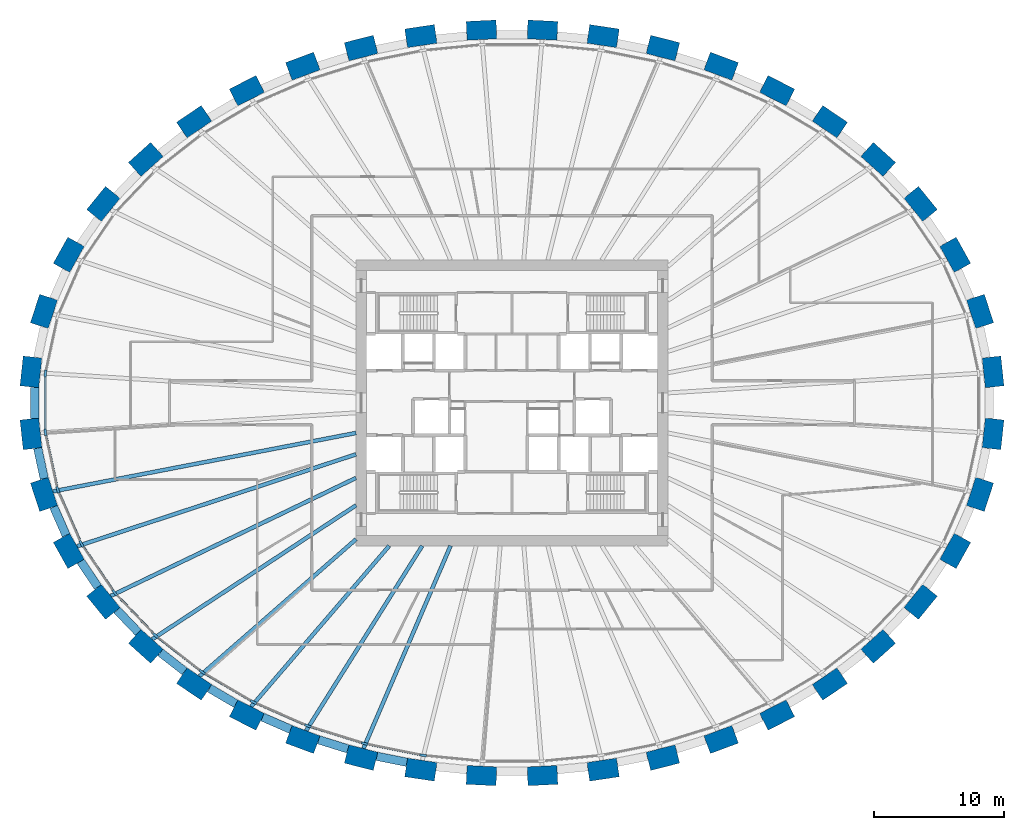
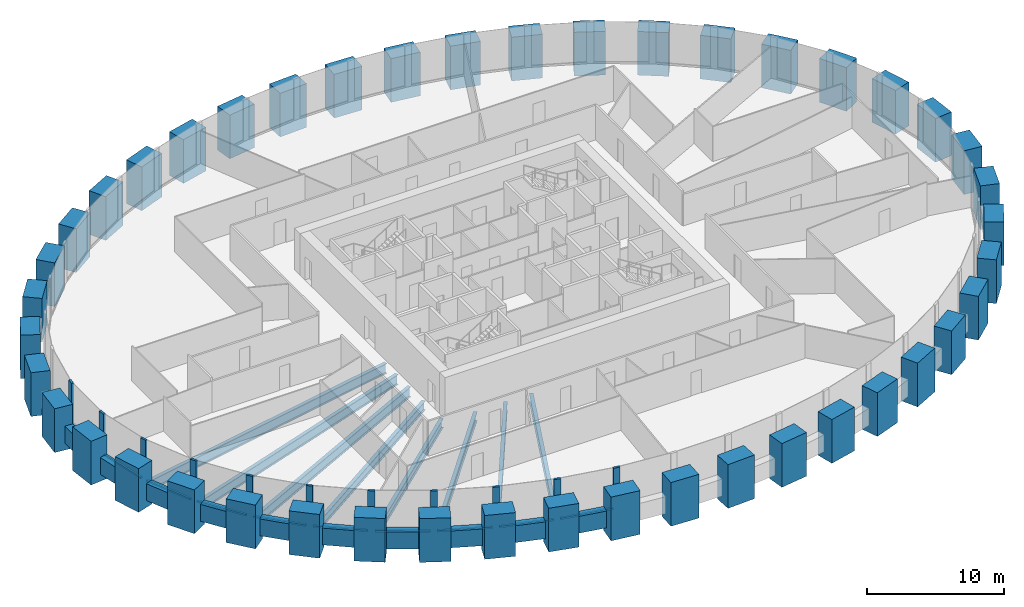
# One storey, part 1 of 10: 44 columns, 21 members, 18 beams, 1 element without a shape of its own.
"""IFC4 building model written with IfcOpenShell, lengths in metres."""

import ifcopenshell
import ifcopenshell.guid

model = None  # the IFC model being written
_history = None  # IfcOwnerHistory: only IFC2X3 demands one
_inside = {}  # id of a spatial element -> (the spatial element, [elements in it])
_under = {}  # id of a project, library or spatial element -> (it, [spatial elements below it])
_declared = {}  # id of a project -> (the project, [libraries it declares])
_typed = {}  # id of a type object -> (the type object, [elements of that type])
_made_of = {}  # id of a material, layer set ... -> (it, [elements and type objects made of it])


def new_model(schema):
    """Start an empty IFC model of exactly this schema.

    Asked for "IFC4X3", IfcOpenShell would pick the latest addendum, in which some entities
    have other attributes; the version numbers below select the first issue.
    IFC2X3 requires an IfcOwnerHistory on every rooted entity: one is made here for all.
    """
    global model, _history
    if schema == "IFC4X3":
        model = ifcopenshell.file(schema_version=(4, 3, 0, 0))
    else:
        model = ifcopenshell.file(schema=schema)
    _inside.clear()
    _under.clear()
    _declared.clear()
    _typed.clear()
    _made_of.clear()
    _history = None
    if model.schema == "IFC2X3":
        org = make("IfcOrganization", Name="unknown")
        user = make(
            "IfcPersonAndOrganization",
            ThePerson=make("IfcPerson", FamilyName="unknown"),
            TheOrganization=org,
        )
        app = make(
            "IfcApplication",
            ApplicationDeveloper=org,
            Version="unknown",
            ApplicationFullName="unknown",
            ApplicationIdentifier="unknown",
        )
        _history = make(
            "IfcOwnerHistory",
            OwningUser=user,
            OwningApplication=app,
            ChangeAction="ADDED",
            CreationDate=0,
        )
    return model


def make(cls, **values):
    """One entity of the class cls with the attributes given. An attribute that is None is left unset."""
    return model.create_entity(
        cls, **{name: value for name, value in values.items() if value is not None}
    )


def rooted(cls, **values):
    """An entity with a GlobalId (a new one), such as an element, a storey or a relation."""
    return make(cls, GlobalId=ifcopenshell.guid.new(), OwnerHistory=_history, **values)


def si_unit(unit_type, name, prefix=None):
    """IfcSIUnit, for example si_unit("LENGTHUNIT", "METRE", prefix="MILLI")."""
    return make("IfcSIUnit", UnitType=unit_type, Prefix=prefix, Name=name)


def assignment(units):
    """IfcUnitAssignment: the units of a project."""
    return None if units is None else make("IfcUnitAssignment", Units=units)


def point(xyz):
    """IfcCartesianPoint."""
    return None if xyz is None else make("IfcCartesianPoint", Coordinates=xyz)


def direction(xyz):
    """IfcDirection."""
    return None if xyz is None else make("IfcDirection", DirectionRatios=xyz)


def frame(location, z_axis=None, x_axis=None):
    """IfcAxis2Placement3D, a coordinate frame: its origin and axes. An axis left out is left unset."""
    return make(
        "IfcAxis2Placement3D",
        Location=point(location),
        Axis=direction(z_axis),
        RefDirection=direction(x_axis),
    )


def frame_2d(location, x_axis=None):
    """IfcAxis2Placement2D, a coordinate frame in the plane: its origin and x axis."""
    return make(
        "IfcAxis2Placement2D", Location=point(location), RefDirection=direction(x_axis)
    )


def origin():
    """The frame at (0, 0, 0) with its axes left unset."""
    return frame((0.0, 0.0, 0.0))


def origin_2d():
    """The frame at (0, 0) in the plane with its x axis left unset."""
    return frame_2d((0.0, 0.0))


def place(relative_to, where):
    """IfcLocalPlacement: puts the frame where relative to a parent placement (None: the world)."""
    return make(
        "IfcLocalPlacement", PlacementRelTo=relative_to, RelativePlacement=where
    )


def context(
    kind, dimensions, precision=None, world=None, true_north=None, identifier=None
):
    """IfcGeometricRepresentationContext, for example the 3D "Model" context."""
    return make(
        "IfcGeometricRepresentationContext",
        ContextIdentifier=identifier,
        ContextType=kind,
        CoordinateSpaceDimension=dimensions,
        Precision=precision,
        WorldCoordinateSystem=world,
        TrueNorth=true_north,
    )


def subcontext(parent, identifier, kind, view, scale=None):
    """IfcGeometricRepresentationSubContext, for example "Body" below "Model"."""
    return make(
        "IfcGeometricRepresentationSubContext",
        ContextIdentifier=identifier,
        ContextType=kind,
        ParentContext=parent,
        TargetScale=scale,
        TargetView=view,
    )


def project(units=None, contexts=None):
    """IfcProject with its units and contexts."""
    return rooted(
        "IfcProject",
        Name="project",
        RepresentationContexts=contexts,
        UnitsInContext=assignment(units),
    )


def spatial(cls, under=None, at=None, **own):
    """A site, building, storey or space (cls), placed at a placement, below another one or the project."""
    s = rooted(cls, ObjectPlacement=at, **own)
    if under is not None:
        _under.setdefault(under.id(), (under, []))[1].append(s)
    return s


def profile(cls, at=None, kind="AREA", **sizes):
    """A parametric profile (cls). Its sizes go by their IFC names, for example OverallWidth=200.0."""
    return make(cls, ProfileType=kind, Position=at, **sizes)


def rectangle(**sizes):
    """IfcRectangleProfileDef."""
    return profile("IfcRectangleProfileDef", **sizes)


def i_section(**sizes):
    """IfcIShapeProfileDef."""
    return profile("IfcIShapeProfileDef", **sizes)


def extrude(swept, where, along, depth):
    """IfcExtrudedAreaSolid: the profile swept, set in the frame where, extruded along a direction by depth."""
    return make(
        "IfcExtrudedAreaSolid",
        SweptArea=swept,
        Position=where,
        ExtrudedDirection=direction(along),
        Depth=depth,
    )


def shape(context_of_items, identifier, shape_type, items):
    """IfcShapeRepresentation: the items that make up one representation, for example the "Body"."""
    return make(
        "IfcShapeRepresentation",
        ContextOfItems=context_of_items,
        RepresentationIdentifier=identifier,
        RepresentationType=shape_type,
        Items=items,
    )


def source(mapping_origin, context_of_items, identifier, shape_type, items):
    """IfcRepresentationMap: a shape defined once, which mapped items show again and again."""
    return make(
        "IfcRepresentationMap",
        MappingOrigin=mapping_origin,
        MappedRepresentation=shape(context_of_items, identifier, shape_type, items),
    )


def transform(
    local_origin,
    x_axis=None,
    y_axis=None,
    z_axis=None,
    scale=None,
    scale2=None,
    scale3=None,
    uniform=True,
):
    """IfcCartesianTransformationOperator3D, or its non-uniform kind. x_axis, y_axis, z_axis: its Axis1, 2, 3."""
    if uniform:
        return make(
            "IfcCartesianTransformationOperator3D",
            Axis1=direction(x_axis),
            Axis2=direction(y_axis),
            LocalOrigin=point(local_origin),
            Scale=scale,
            Axis3=direction(z_axis),
        )
    return make(
        "IfcCartesianTransformationOperator3DnonUniform",
        Axis1=direction(x_axis),
        Axis2=direction(y_axis),
        LocalOrigin=point(local_origin),
        Scale=scale,
        Axis3=direction(z_axis),
        Scale2=scale2,
        Scale3=scale3,
    )


def mapped(mapping_source, mapping_target):
    """IfcMappedItem: shows the shape of a source again, moved by a transform."""
    return make(
        "IfcMappedItem", MappingSource=mapping_source, MappingTarget=mapping_target
    )


def material(Name=None, Category=None):
    """IfcMaterial."""
    return make("IfcMaterial", Name=Name, Category=Category)


def material_profile(
    of_material, cross_section, Name=None, Category=None, Priority=None
):
    """IfcMaterialProfile: a cross section and its material."""
    return make(
        "IfcMaterialProfile",
        Name=Name,
        Material=of_material,
        Profile=cross_section,
        Priority=Priority,
        Category=Category,
    )


def profile_set(profiles, Name=None, composite=None):
    """IfcMaterialProfileSet."""
    return make(
        "IfcMaterialProfileSet",
        Name=Name,
        MaterialProfiles=profiles,
        CompositeProfile=composite,
    )


def made_of(thing, what):
    """Note that an element or type object is made of a material, layer set ...; save() writes the relation."""
    if what is not None:
        _made_of.setdefault(what.id(), (what, []))[1].append(thing)
    return thing


def type_object(cls, material=None, **own):
    """A type object (cls), such as IfcWallType, which elements share."""
    return made_of(rooted(cls, **own), material)


def element(
    cls,
    number,
    at=None,
    inside=None,
    cuts=None,
    type_object=None,
    material=None,
    context=None,
    identifier="Body",
    shape_type=None,
    held_by="IfcProductDefinitionShape",
    body=None,
    shapes=None,
    **own,
):
    """One element of the class cls, such as IfcWall. Its Tag is "e" and its number.

    at: its placement. inside: the storey or other place that contains it. cuts: it is an
    opening in that element (IfcRelVoidsElement). A single representation is given by context,
    identifier, shape_type and body (its items); several are given by shapes. held_by: the class
    of the entity that holds the representations. save() writes the other relations.
    """
    e = rooted(cls, Tag="e%d" % number, ObjectPlacement=at, **own)
    if body is not None:
        shapes = [shape(context, identifier, shape_type, body)]
    if shapes is not None:
        e.Representation = make(held_by, Representations=shapes)
    if inside is not None:
        _inside.setdefault(inside.id(), (inside, []))[1].append(e)
    if cuts is not None:
        rooted(
            "IfcRelVoidsElement", RelatingBuildingElement=cuts, RelatedOpeningElement=e
        )
    if type_object is not None:
        _typed.setdefault(type_object.id(), (type_object, []))[1].append(e)
    return made_of(e, material)


def aggregate(whole, parts):
    """IfcRelAggregates: a whole, such as a stair, and the parts it consists of."""
    return rooted("IfcRelAggregates", RelatingObject=whole, RelatedObjects=parts)


def save(model, path):
    """Write the relations noted so far, then the file.

    IfcRelAggregates (storeys below a building ...), IfcRelContainedInSpatialStructure (elements
    in a storey), IfcRelDefinesByType, IfcRelAssociatesMaterial and IfcRelDeclares: one each for
    every whole, place, type object, material and project.
    """
    for whole, parts in _under.values():
        aggregate(whole, parts)
    for where, things in _inside.values():
        rooted(
            "IfcRelContainedInSpatialStructure",
            RelatedElements=things,
            RelatingStructure=where,
        )
    for kind, things in _typed.values():
        rooted("IfcRelDefinesByType", RelatedObjects=things, RelatingType=kind)
    for what, things in _made_of.values():
        rooted("IfcRelAssociatesMaterial", RelatedObjects=things, RelatingMaterial=what)
    for by, libraries in _declared.values():
        rooted("IfcRelDeclares", RelatingContext=by, RelatedDefinitions=libraries)
    model.write(path)


model = new_model("IFC4")

# Units and contexts
model_context = context("Model", 3, precision=1e-05, world=origin(), true_north=direction((0.0, 1.0)))
body_context = subcontext(model_context, "Body", "Model", "MODEL_VIEW")
ifc_project = project(units=[si_unit("LENGTHUNIT", "METRE"), si_unit("AREAUNIT", "SQUARE_METRE"), si_unit("VOLUMEUNIT", "CUBIC_METRE"), si_unit("PLANEANGLEUNIT", "RADIAN"), si_unit("MASSUNIT", "GRAM", prefix="KILO")], contexts=[model_context])

# Site, building, storey
site_placement = place(None, origin())
site = spatial("IfcSite", under=ifc_project, at=site_placement, CompositionType="ELEMENT")
building_placement = place(site_placement, origin())
building = spatial("IfcBuilding", under=site, at=building_placement, Name="Embergate Tower", CompositionType="ELEMENT")
storey_placement = place(building_placement, frame((0.0, 0.0, 179.39990234375)))
storey = spatial("IfcBuildingStorey", under=building, at=storey_placement, Name="L40", CompositionType="ELEMENT", Elevation=179.39990234375)

# Columns
ifc_material_1 = material(Name="Concrete C70", Category="concrete")
ifc_material_profile_1 = material_profile(ifc_material_1, rectangle(XDim=1.449951171875, YDim=2.300048828125, at=origin_2d()), Name="RC 1450x2300")
ifc_profile_set_1 = profile_set([ifc_material_profile_1], Name="Concrete C70")
column_type = type_object("IfcColumnType", Name="Ring column RC 1450x2300 C70", PredefinedType="COLUMN", material=ifc_profile_set_1)
shared_shape_1 = source(origin(), body_context, "Body", "SweptSolid", [
    extrude(rectangle(XDim=1.449951171875, YDim=2.300048828125, at=origin_2d()), origin(), (0.0, 0.0, 1.0), 3.89990234375),
])
for number, where, z_axis, x_axis, name in (
    (1, (37.008056640625, 2.383056640625, -1.39990234375), (0.0, 0.0, 1.0), (0.99428589498, 0.106749983816, 0.0), "COL-L40-00"),
    (2, (36.007080078125, 7.037109375, -1.39990234375), (0.0, 0.0, 1.0), (0.950754033697, 0.309946394413, 0.0), "COL-L40-01"),
    (3, (34.097900390625, 11.388916015625, -1.39990234375), (0.0, 0.0, 1.0), (0.873491969053, 0.486838556403, 0.0), "COL-L40-02"),
    (4, (31.43408203125, 15.30810546875, -1.39990234375), (0.0, 0.0, 1.0), (0.775914301615, 0.630838328377, 0.0), "COL-L40-03"),
    (5, (28.172119140625, 18.72900390625, -1.39990234375), (0.0, 0.0, 1.0), (0.669208424634, 0.74307475021, 0.0), "COL-L40-04"),
    (6, (24.4541015625, 21.631103515625, -1.39990234375), (0.0, 0.0, 1.0), (0.560393279442, 0.828226643109, 0.0), "COL-L40-05"),
    (7, (20.39697265625, 24.01611328125, -1.39990234375), (0.0, 0.0, 1.0), (0.452994952881, 0.891513080478, 0.0), "COL-L40-06"),
    (8, (16.091064453125, 25.89892578125, -1.39990234375), (0.0, 0.0, 1.0), (0.348343015724, 0.93736713373, 0.0), "COL-L40-07"),
    (9, (11.60888671875, 27.294921875, -1.39990234375), (0.0, 0.0, 1.0), (0.246491603437, 0.969144926951, 0.0), "COL-L40-08"),
    (10, (7.010009765625, 28.217041015625, -1.39990234375), (0.0, 0.0, 1.0), (0.146929011949, 0.989147039346, 0.0), "COL-L40-09"),
    (11, (2.343994140625, 28.676025390625, -1.39990234375), (0.0, 0.0, 1.0), (0.048814904854, 0.998807841912, 0.0), "COL-L40-10"),
    (12, (-2.343994140625, 28.676025390625, -1.39990234375), (0.0, 0.0, 1.0), (-0.048814904854, 0.998807841912, 0.0), "COL-L40-11"),
    (13, (-7.010009765625, 28.217041015625, -1.39990234375), (0.0, 0.0, 1.0), (-0.146929011949, 0.989147039346, 0.0), "COL-L40-12"),
    (14, (-11.60888671875, 27.294921875, -1.39990234375), (0.0, 0.0, 1.0), (-0.246491603437, 0.969144926951, 0.0), "COL-L40-13"),
    (15, (-16.091064453125, 25.89892578125, -1.39990234375), (0.0, 0.0, 1.0), (-0.348343015724, 0.93736713373, 0.0), "COL-L40-14"),
    (16, (-20.39697265625, 24.01611328125, -1.39990234375), (0.0, 0.0, 1.0), (-0.452994952881, 0.891513080478, 0.0), "COL-L40-15"),
    (17, (-24.4541015625, 21.631103515625, -1.39990234375), (0.0, 0.0, 1.0), (-0.560393279442, 0.828226643109, 0.0), "COL-L40-16"),
    (18, (-28.172119140625, 18.72900390625, -1.39990234375), (0.0, 0.0, 1.0), (-0.669208424634, 0.74307475021, 0.0), "COL-L40-17"),
    (19, (-31.43408203125, 15.30810546875, -1.39990234375), (0.0, 0.0, 1.0), (-0.775914301615, 0.630838328377, 0.0), "COL-L40-18"),
    (20, (-34.097900390625, 11.388916015625, -1.39990234375), (0.0, 0.0, 1.0), (-0.873491969053, 0.486838556403, 0.0), "COL-L40-19"),
    (21, (-36.007080078125, 7.037109375, -1.39990234375), (0.0, 0.0, 1.0), (-0.950754033697, 0.309946394413, 0.0), "COL-L40-20"),
    (22, (-37.008056640625, 2.383056640625, -1.39990234375), (0.0, 0.0, 1.0), (-0.99428589498, 0.106749983816, 0.0), "COL-L40-21"),
    (23, (-37.008056640625, -2.383056640625, -1.39990234375), (0.0, 0.0, 1.0), (-0.99428589498, -0.106749983816, 0.0), "COL-L40-22"),
    (24, (-36.007080078125, -7.037109375, -1.39990234375), (0.0, 0.0, 1.0), (-0.950754033697, -0.309946394413, 0.0), "COL-L40-23"),
    (25, (-34.097900390625, -11.388916015625, -1.39990234375), (0.0, 0.0, 1.0), (-0.873491969053, -0.486838556403, 0.0), "COL-L40-24"),
    (26, (-31.43408203125, -15.30810546875, -1.39990234375), (0.0, 0.0, 1.0), (-0.775914301615, -0.630838328377, 0.0), "COL-L40-25"),
    (27, (-28.172119140625, -18.72900390625, -1.39990234375), (0.0, 0.0, 1.0), (-0.669208424634, -0.74307475021, 0.0), "COL-L40-26"),
    (28, (-24.4541015625, -21.631103515625, -1.39990234375), (0.0, 0.0, 1.0), (-0.560393279442, -0.828226643109, 0.0), "COL-L40-27"),
    (29, (-20.39697265625, -24.01611328125, -1.39990234375), (0.0, 0.0, 1.0), (-0.452994952881, -0.891513080478, 0.0), "COL-L40-28"),
    (30, (-16.091064453125, -25.89892578125, -1.39990234375), (0.0, 0.0, 1.0), (-0.348343015724, -0.93736713373, 0.0), "COL-L40-29"),
    (31, (-11.60888671875, -27.294921875, -1.39990234375), (0.0, 0.0, 1.0), (-0.246491603437, -0.969144926951, 0.0), "COL-L40-30"),
    (32, (-7.010009765625, -28.217041015625, -1.39990234375), (0.0, 0.0, 1.0), (-0.146929011949, -0.989147039346, 0.0), "COL-L40-31"),
    (33, (-2.343994140625, -28.676025390625, -1.39990234375), (0.0, 0.0, 1.0), (-0.048814904854, -0.998807841912, 0.0), "COL-L40-32"),
    (34, (2.343994140625, -28.676025390625, -1.39990234375), (0.0, 0.0, 1.0), (0.048814904854, -0.998807841912, 0.0), "COL-L40-33"),
    (35, (7.010009765625, -28.217041015625, -1.39990234375), (0.0, 0.0, 1.0), (0.146929011949, -0.989147039346, 0.0), "COL-L40-34"),
    (36, (11.60888671875, -27.294921875, -1.39990234375), (0.0, 0.0, 1.0), (0.246491603437, -0.969144926951, 0.0), "COL-L40-35"),
    (37, (16.091064453125, -25.89892578125, -1.39990234375), (0.0, 0.0, 1.0), (0.348343015724, -0.93736713373, 0.0), "COL-L40-36"),
    (38, (20.39697265625, -24.01611328125, -1.39990234375), (0.0, 0.0, 1.0), (0.452994952881, -0.891513080478, 0.0), "COL-L40-37"),
    (39, (24.4541015625, -21.631103515625, -1.39990234375), (0.0, 0.0, 1.0), (0.560393279442, -0.828226643109, 0.0), "COL-L40-38"),
    (40, (28.172119140625, -18.72900390625, -1.39990234375), (0.0, 0.0, 1.0), (0.669208424634, -0.74307475021, 0.0), "COL-L40-39"),
    (41, (31.43408203125, -15.30810546875, -1.39990234375), (0.0, 0.0, 1.0), (0.775914301615, -0.630838328377, 0.0), "COL-L40-40"),
    (42, (34.097900390625, -11.388916015625, -1.39990234375), (0.0, 0.0, 1.0), (0.873491969053, -0.486838556403, 0.0), "COL-L40-41"),
    (43, (36.007080078125, -7.037109375, -1.39990234375), (0.0, 0.0, 1.0), (0.950754033697, -0.309946394413, 0.0), "COL-L40-42"),
    (44, (37.008056640625, -2.383056640625, -1.39990234375), (0.0, 0.0, 1.0), (0.99428589498, -0.106749983816, 0.0), "COL-L40-43"),
):
    element("IfcColumn", number, at=place(storey_placement, frame(where, z_axis=z_axis, x_axis=x_axis)), inside=storey, type_object=column_type, Name=name, PredefinedType="COLUMN", context=body_context, shape_type="MappedRepresentation", body=[
        mapped(shared_shape_1, transform((0.0, 0.0, 0.0))),
    ])

# Beams
ifc_material_profile_2 = material_profile(ifc_material_1, rectangle(XDim=0.64990234375, YDim=1.5, at=origin_2d()), Name="RC 650x1500")
ifc_profile_set_2 = profile_set([ifc_material_profile_2], Name="Concrete C70")
beam_type_1 = type_object("IfcBeamType", Name="Spandrel beam RC 650x1500 C70", PredefinedType="BEAM", material=ifc_profile_set_2)
shared_shape_2 = source(origin(), body_context, "Body", "SweptSolid", [
    extrude(rectangle(XDim=0.64990234375, YDim=1.5, at=origin_2d()), origin(), (0.0, 0.0, 1.0), 2.390625),
])
beam_1_placement = place(storey_placement, frame((-36.489013671875, -3.48388671875, 0.0), z_axis=(0.210372893439, -0.977621217909, 0.0), x_axis=(0.977621217909, 0.210372893439, 0.0)))
element("IfcBeam", 45, at=beam_1_placement, inside=storey, type_object=beam_type_1, Name="SPN-L40-22", PredefinedType="BEAM", context=body_context, shape_type="MappedRepresentation", body=[
    mapped(shared_shape_2, transform((0.0, 0.0, 0.0))),
])
shared_shape_3 = source(origin(), body_context, "Body", "SweptSolid", [
    extrude(rectangle(XDim=0.64990234375, YDim=1.5, at=origin_2d()), origin(), (0.0, 0.0, 1.0), 2.383544921875),
])
beam_2_placement = place(storey_placement, frame((-35.259033203125, -8.0029296875, 0.0), z_axis=(0.401495719711, -0.915860899402, 0.0), x_axis=(0.915860899402, 0.401495719711, 0.0)))
element("IfcBeam", 46, at=beam_2_placement, inside=storey, type_object=beam_type_1, Name="SPN-L40-23", PredefinedType="BEAM", context=body_context, shape_type="MappedRepresentation", body=[
    mapped(shared_shape_3, transform((0.0, 0.0, 0.0))),
])
shared_shape_4 = source(origin(), body_context, "Body", "SweptSolid", [
    extrude(rectangle(XDim=0.64990234375, YDim=1.5, at=origin_2d()), origin(), (0.0, 0.0, 1.0), 2.37744140625),
])
beam_3_placement = place(storey_placement, frame((-33.18798828125, -12.198974609375, 0.0), z_axis=(0.562307212713, -0.826928411975, 0.0), x_axis=(0.826928411975, 0.562307212713, 0.0)))
element("IfcBeam", 47, at=beam_3_placement, inside=storey, type_object=beam_type_1, Name="SPN-L40-24", PredefinedType="BEAM", context=body_context, shape_type="MappedRepresentation", body=[
    mapped(shared_shape_4, transform((0.0, 0.0, 0.0))),
])
shared_shape_5 = source(origin(), body_context, "Body", "SweptSolid", [
    extrude(rectangle(XDim=0.64990234375, YDim=1.5, at=origin_2d()), origin(), (0.0, 0.0, 1.0), 2.370361328125),
])
beam_4_placement = place(storey_placement, frame((-30.39111328125, -15.94189453125, 0.0), z_axis=(0.690277300847, -0.723544917704, 0.0), x_axis=(0.723544917704, 0.690277300847, 0.0)))
element("IfcBeam", 48, at=beam_4_placement, inside=storey, type_object=beam_type_1, Name="SPN-L40-25", PredefinedType="BEAM", context=body_context, shape_type="MappedRepresentation", body=[
    mapped(shared_shape_5, transform((0.0, 0.0, 0.0))),
])
shared_shape_6 = source(origin(), body_context, "Body", "SweptSolid", [
    extrude(rectangle(XDim=0.64990234375, YDim=1.5, at=origin_2d()), origin(), (0.0, 0.0, 1.0), 2.367431640625),
])
beam_5_placement = place(storey_placement, frame((-27.050048828125, -19.200927734375, 0.0), z_axis=(0.788179129097, -0.615445903761, 0.0), x_axis=(0.615445903761, 0.788179129097, 0.0)))
element("IfcBeam", 49, at=beam_5_placement, inside=storey, type_object=beam_type_1, Name="SPN-L40-26", PredefinedType="BEAM", context=body_context, shape_type="MappedRepresentation", body=[
    mapped(shared_shape_6, transform((0.0, 0.0, 0.0))),
])
shared_shape_7 = source(origin(), body_context, "Body", "SweptSolid", [
    extrude(rectangle(XDim=0.64990234375, YDim=1.5, at=origin_2d()), origin(), (0.0, 0.0, 1.0), 2.36181640625),
])
beam_6_placement = place(storey_placement, frame((-23.281982421875, -21.950927734375, 0.0), z_axis=(0.86203783714, -0.506843927989, 0.0), x_axis=(0.506843927989, 0.86203783714, 0.0)))
element("IfcBeam", 50, at=beam_6_placement, inside=storey, type_object=beam_type_1, Name="SPN-L40-27", PredefinedType="BEAM", context=body_context, shape_type="MappedRepresentation", body=[
    mapped(shared_shape_7, transform((0.0, 0.0, 0.0))),
])
shared_shape_8 = source(origin(), body_context, "Body", "SweptSolid", [
    extrude(rectangle(XDim=0.64990234375, YDim=1.5, at=origin_2d()), origin(), (0.0, 0.0, 1.0), 2.357177734375),
])
beam_7_placement = place(storey_placement, frame((-19.18798828125, -24.175048828125, 0.0), z_axis=(0.916330780136, -0.400422153951, 0.0), x_axis=(0.400422153951, 0.916330780136, 0.0)))
element("IfcBeam", 51, at=beam_7_placement, inside=storey, type_object=beam_type_1, Name="SPN-L40-28", PredefinedType="BEAM", context=body_context, shape_type="MappedRepresentation", body=[
    mapped(shared_shape_8, transform((0.0, 0.0, 0.0))),
])
shared_shape_9 = source(origin(), body_context, "Body", "SweptSolid", [
    extrude(rectangle(XDim=0.64990234375, YDim=1.5, at=origin_2d()), origin(), (0.0, 0.0, 1.0), 2.354736328125),
])
beam_8_placement = place(storey_placement, frame((-14.873046875, -25.923095703125, 0.0), z_axis=(0.954671641149, -0.2976609776, 0.0), x_axis=(0.2976609776, 0.954671641149, 0.0)))
element("IfcBeam", 52, at=beam_8_placement, inside=storey, type_object=beam_type_1, Name="SPN-L40-29", PredefinedType="BEAM", context=body_context, shape_type="MappedRepresentation", body=[
    mapped(shared_shape_9, transform((0.0, 0.0, 0.0))),
])
shared_shape_10 = source(origin(), body_context, "Body", "SweptSolid", [
    extrude(rectangle(XDim=0.64990234375, YDim=1.5, at=origin_2d()), origin(), (0.0, 0.0, 1.0), 2.35302734375),
])
beam_9_placement = place(storey_placement, frame((-10.39599609375, -27.19189453125, 0.0), z_axis=(0.980436743633, -0.196834427206, 0.0), x_axis=(0.196834427206, 0.980436743633, 0.0)))
element("IfcBeam", 53, at=beam_9_placement, inside=storey, type_object=beam_type_1, Name="SPN-L40-30", PredefinedType="BEAM", context=body_context, shape_type="MappedRepresentation", body=[
    mapped(shared_shape_10, transform((0.0, 0.0, 0.0))),
])
shared_shape_11 = source(origin(), body_context, "Body", "SweptSolid", [
    extrude(rectangle(XDim=0.64990234375, YDim=1.5, at=origin_2d()), origin(), (0.0, 0.0, 1.0), 2.39404296875),
])
beam_10_placement = place(storey_placement, frame((-36.73193359375, 1.197021484375, 0.0), z_axis=(0.0, -1.0, 0.0), x_axis=(1.0, 0.0, 0.0)))
element("IfcBeam", 54, at=beam_10_placement, inside=storey, type_object=beam_type_1, Name="SPN-L40-21", PredefinedType="BEAM", context=body_context, shape_type="MappedRepresentation", body=[
    mapped(shared_shape_11, transform((0.0, 0.0, 0.0))),
])
ifc_material_2 = material(Name="Steel Q355B", Category="steel")
ifc_material_profile_3 = material_profile(ifc_material_2, i_section(OverallWidth=0.300048828125, OverallDepth=0.89990234375, WebThickness=0.01611328125, FlangeThickness=0.028076171875, FilletRadius=0.028076171875, at=origin_2d()), Name="HN 900x300x16x28")
ifc_profile_set_3 = profile_set([ifc_material_profile_3], Name="Steel Q355 grade B")
beam_type_2 = type_object("IfcBeamType", Name="Radial girder HN 900x300x16x28", PredefinedType="BEAM", material=ifc_profile_set_3)
shared_shape_12 = source(origin(), body_context, "Body", "SweptSolid", [
    extrude(i_section(OverallWidth=0.300048828125, OverallDepth=0.89990234375, WebThickness=0.01611328125, FlangeThickness=0.028076171875, FilletRadius=0.028076171875, at=origin_2d()), origin(), (0.0, 0.0, 1.0), 23.747802734375),
])
beam_11_placement = place(storey_placement, frame((-35.318115234375, -6.81201171875, -0.64990234375), z_axis=(0.981906216614, 0.189367847787, 0.0), x_axis=(-0.189367847787, 0.981906216614, 0.0)))
element("IfcBeam", 55, at=beam_11_placement, inside=storey, type_object=beam_type_2, Name="GIR-L40-23", PredefinedType="BEAM", context=body_context, shape_type="MappedRepresentation", body=[
    mapped(shared_shape_12, transform((0.0, 0.0, 0.0))),
])
shared_shape_13 = source(origin(), body_context, "Body", "SweptSolid", [
    extrude(i_section(OverallWidth=0.300048828125, OverallDepth=0.89990234375, WebThickness=0.01611328125, FlangeThickness=0.028076171875, FilletRadius=0.028076171875, at=origin_2d()), origin(), (0.0, 0.0, 1.0), 22.602294921875),
])
beam_12_placement = place(storey_placement, frame((-33.465087890625, -11.035888671875, -0.64990234375), z_axis=(0.949689481284, 0.313193054103, 0.0), x_axis=(-0.313193054103, 0.949689481284, 0.0)))
element("IfcBeam", 56, at=beam_12_placement, inside=storey, type_object=beam_type_2, Name="GIR-L40-24", PredefinedType="BEAM", context=body_context, shape_type="MappedRepresentation", body=[
    mapped(shared_shape_13, transform((0.0, 0.0, 0.0))),
])
shared_shape_14 = source(origin(), body_context, "Body", "SweptSolid", [
    extrude(i_section(OverallWidth=0.300048828125, OverallDepth=0.89990234375, WebThickness=0.01611328125, FlangeThickness=0.028076171875, FilletRadius=0.028076171875, at=origin_2d()), origin(), (0.0, 0.0, 1.0), 20.941162109375),
])
beam_13_placement = place(storey_placement, frame((-30.87109375, -14.85107421875, -0.64990234375), z_axis=(0.901150138625, 0.433507125267, 0.0), x_axis=(-0.433507125267, 0.901150138625, 0.0)))
element("IfcBeam", 57, at=beam_13_placement, inside=storey, type_object=beam_type_2, Name="GIR-L40-25", PredefinedType="BEAM", context=body_context, shape_type="MappedRepresentation", body=[
    mapped(shared_shape_14, transform((0.0, 0.0, 0.0))),
])
ifc_material_profile_4 = material_profile(ifc_material_2, i_section(OverallWidth=0.300048828125, OverallDepth=0.800048828125, WebThickness=0.013916015625, FlangeThickness=0.02587890625, FilletRadius=0.028076171875, at=origin_2d()), Name="HN 800x300x14x26")
ifc_profile_set_4 = profile_set([ifc_material_profile_4], Name="Steel Q355 grade B")
beam_type_3 = type_object("IfcBeamType", Name="Radial girder HN 800x300x14x26", PredefinedType="BEAM", material=ifc_profile_set_4)
shared_shape_15 = source(origin(), body_context, "Body", "SweptSolid", [
    extrude(i_section(OverallWidth=0.300048828125, OverallDepth=0.800048828125, WebThickness=0.013916015625, FlangeThickness=0.02587890625, FilletRadius=0.028076171875, at=origin_2d()), origin(), (0.0, 0.0, 1.0), 18.76953125),
])
beam_14_placement = place(storey_placement, frame((-27.68701171875, -18.18994140625, -0.599853515625), z_axis=(0.835771481667, 0.549077435734, 0.0), x_axis=(-0.549077435734, 0.835771481667, 0.0)))
element("IfcBeam", 58, at=beam_14_placement, inside=storey, type_object=beam_type_3, Name="GIR-L40-26", PredefinedType="BEAM", context=body_context, shape_type="MappedRepresentation", body=[
    mapped(shared_shape_15, transform((0.0, 0.0, 0.0))),
])
shared_shape_16 = source(origin(), body_context, "Body", "SweptSolid", [
    extrude(i_section(OverallWidth=0.300048828125, OverallDepth=0.800048828125, WebThickness=0.013916015625, FlangeThickness=0.02587890625, FilletRadius=0.028076171875, at=origin_2d()), origin(), (0.0, 0.0, 1.0), 16.005859375),
])
beam_15_placement = place(storey_placement, frame((-24.048095703125, -21.031005859375, -0.599853515625), z_axis=(0.752730691054, 0.658328570506, 0.0), x_axis=(-0.658328570506, 0.752730691054, 0.0)))
element("IfcBeam", 59, at=beam_15_placement, inside=storey, type_object=beam_type_3, Name="GIR-L40-27", PredefinedType="BEAM", context=body_context, shape_type="MappedRepresentation", body=[
    mapped(shared_shape_16, transform((0.0, 0.0, 0.0))),
])
shared_shape_17 = source(origin(), body_context, "Body", "SweptSolid", [
    extrude(i_section(OverallWidth=0.300048828125, OverallDepth=0.800048828125, WebThickness=0.013916015625, FlangeThickness=0.02587890625, FilletRadius=0.028076171875, at=origin_2d()), origin(), (0.0, 0.0, 1.0), 16.305419921875),
])
beam_16_placement = place(storey_placement, frame((-20.069091796875, -23.3701171875, -0.599853515625), z_axis=(0.651501333184, 0.758647489193, 0.0), x_axis=(-0.758647489193, 0.651501333184, 0.0)))
element("IfcBeam", 60, at=beam_16_placement, inside=storey, type_object=beam_type_3, Name="GIR-L40-28", PredefinedType="BEAM", context=body_context, shape_type="MappedRepresentation", body=[
    mapped(shared_shape_17, transform((0.0, 0.0, 0.0))),
])
shared_shape_18 = source(origin(), body_context, "Body", "SweptSolid", [
    extrude(i_section(OverallWidth=0.300048828125, OverallDepth=0.800048828125, WebThickness=0.013916015625, FlangeThickness=0.02587890625, FilletRadius=0.028076171875, at=origin_2d()), origin(), (0.0, 0.0, 1.0), 16.79052734375),
])
beam_17_placement = place(storey_placement, frame((-15.837890625, -25.218994140625, -0.599853515625), z_axis=(0.531841858708, 0.8468436912, 0.0), x_axis=(-0.8468436912, 0.531841858708, 0.0)))
element("IfcBeam", 61, at=beam_17_placement, inside=storey, type_object=beam_type_3, Name="GIR-L40-29", PredefinedType="BEAM", context=body_context, shape_type="MappedRepresentation", body=[
    mapped(shared_shape_18, transform((0.0, 0.0, 0.0))),
])
shared_shape_19 = source(origin(), body_context, "Body", "SweptSolid", [
    extrude(i_section(OverallWidth=0.300048828125, OverallDepth=0.800048828125, WebThickness=0.013916015625, FlangeThickness=0.02587890625, FilletRadius=0.028076171875, at=origin_2d()), origin(), (0.0, 0.0, 1.0), 16.971435546875),
])
beam_18_placement = place(storey_placement, frame((-11.429931640625, -26.592041015625, -0.599853515625), z_axis=(0.394894806524, 0.918726342161, 0.0), x_axis=(-0.918726342161, 0.394894806524, 0.0)))
element("IfcBeam", 62, at=beam_18_placement, inside=storey, type_object=beam_type_3, Name="GIR-L40-30", PredefinedType="BEAM", context=body_context, shape_type="MappedRepresentation", body=[
    mapped(shared_shape_19, transform((0.0, 0.0, 0.0))),
])

# Curtain wall, members
ifc_material_3 = material(Name="Aluminium and glass", Category="aluminium")
curtain_wall_type = type_object("IfcCurtainWallType", Name="Recessed office glazing", PredefinedType="NOTDEFINED", material=ifc_material_3)
curtain_wall_placement = place(storey_placement, origin())
curtain_wall = element("IfcCurtainWall", 63, at=curtain_wall_placement, inside=storey, type_object=curtain_wall_type, Name="Recessed office glazing ring", ObjectType="RECESSED OFFICE GLAZING", PredefinedType="USERDEFINED")
ifc_material_4 = material(Name="Aluminium, thermally broken", Category="aluminium")
ifc_material_profile_5 = material_profile(ifc_material_4, rectangle(XDim=0.179931640625, YDim=0.52001953125, at=origin_2d()), Name="AL 520x180")
ifc_profile_set_5 = profile_set([ifc_material_profile_5], Name="Aluminium, thermally broken")
member_type_1 = type_object("IfcMemberType", Name="Office mullion", PredefinedType="MULLION", material=ifc_profile_set_5)
shared_shape_20 = source(origin(), body_context, "Body", "SweptSolid", [
    extrude(rectangle(XDim=0.179931640625, YDim=0.52001953125, at=origin_2d()), origin(), (0.0, 0.0, 1.0), 3.7001953125),
])
member_1_placement = place(storey_placement, frame((-35.899658203125, 2.263427734375, 0.0), z_axis=(0.0, 0.0, 1.0), x_axis=(0.994384770038, -0.105824992874, 0.0)))
member_1 = element("IfcMember", 64, at=member_1_placement, type_object=member_type_1, Name="CW mullion 22", PredefinedType="MULLION", context=body_context, shape_type="MappedRepresentation", body=[
    mapped(shared_shape_20, transform((0.0, 0.0, 0.0))),
])
member_2_placement = place(storey_placement, frame((-35.899658203125, -2.263427734375, 0.0), z_axis=(0.0, 0.0, 1.0), x_axis=(0.994384770038, 0.105824992874, 0.0)))
member_2 = element("IfcMember", 65, at=member_2_placement, type_object=member_type_1, Name="CW mullion 23", PredefinedType="MULLION", context=body_context, shape_type="MappedRepresentation", body=[
    mapped(shared_shape_20, transform((0.0, 0.0, 0.0))),
])
member_3_placement = place(storey_placement, frame((-34.94677734375, -6.691650390625, 0.0), z_axis=(0.0, 0.0, 1.0), x_axis=(0.951496187099, 0.307660536853, 0.0)))
member_3 = element("IfcMember", 66, at=member_3_placement, type_object=member_type_1, Name="CW mullion 24", PredefinedType="MULLION", context=body_context, shape_type="MappedRepresentation", body=[
    mapped(shared_shape_20, transform((0.0, 0.0, 0.0))),
])
member_4_placement = place(storey_placement, frame((-33.12451171875, -10.84619140625, 0.0), z_axis=(0.0, 0.0, 1.0), x_axis=(0.874998516019, 0.484125600402, 0.0)))
member_4 = element("IfcMember", 67, at=member_4_placement, type_object=member_type_1, Name="CW mullion 25", PredefinedType="MULLION", context=body_context, shape_type="MappedRepresentation", body=[
    mapped(shared_shape_20, transform((0.0, 0.0, 0.0))),
])
member_5_placement = place(storey_placement, frame((-30.568359375, -14.60498046875, 0.0), z_axis=(0.0, 0.0, 1.0), x_axis=(0.777867080309, 0.62842883875, 0.0)))
member_5 = element("IfcMember", 68, at=member_5_placement, type_object=member_type_1, Name="CW mullion 26", PredefinedType="MULLION", context=body_context, shape_type="MappedRepresentation", body=[
    mapped(shared_shape_20, transform((0.0, 0.0, 0.0))),
])
member_6_placement = place(storey_placement, frame((-27.425537109375, -17.900634765625, 0.0), z_axis=(0.0, 0.0, 1.0), x_axis=(0.671221359023, 0.741256964346, 0.0)))
member_6 = element("IfcMember", 69, at=member_6_placement, type_object=member_type_1, Name="CW mullion 27", PredefinedType="MULLION", context=body_context, shape_type="MappedRepresentation", body=[
    mapped(shared_shape_20, transform((0.0, 0.0, 0.0))),
])
member_7_placement = place(storey_placement, frame((-23.82958984375, -20.70703125, 0.0), z_axis=(0.0, 0.0, 1.0), x_axis=(0.562210401679, 0.82699423471, 0.0)))
member_7 = element("IfcMember", 70, at=member_7_placement, type_object=member_type_1, Name="CW mullion 28", PredefinedType="MULLION", context=body_context, shape_type="MappedRepresentation", body=[
    mapped(shared_shape_20, transform((0.0, 0.0, 0.0))),
])
member_8_placement = place(storey_placement, frame((-19.89208984375, -23.02197265625, 0.0), z_axis=(0.0, 0.0, 1.0), x_axis=(0.45450516197, 0.8907441034, 0.0)))
member_8 = element("IfcMember", 71, at=member_8_placement, type_object=member_type_1, Name="CW mullion 29", PredefinedType="MULLION", context=body_context, shape_type="MappedRepresentation", body=[
    mapped(shared_shape_20, transform((0.0, 0.0, 0.0))),
])
member_9_placement = place(storey_placement, frame((-15.702880859375, -24.853759765625, 0.0), z_axis=(0.0, 0.0, 1.0), x_axis=(0.349497777064, 0.936937193107, 0.0)))
member_9 = element("IfcMember", 72, at=member_9_placement, type_object=member_type_1, Name="CW mullion 30", PredefinedType="MULLION", context=body_context, shape_type="MappedRepresentation", body=[
    mapped(shared_shape_20, transform((0.0, 0.0, 0.0))),
])
member_10_placement = place(storey_placement, frame((-11.334716796875, -26.214111328125, 0.0), z_axis=(0.0, 0.0, 1.0), x_axis=(0.247308499144, 0.96893679167, 0.0)))
member_10 = element("IfcMember", 73, at=member_10_placement, type_object=member_type_1, Name="CW mullion 31", PredefinedType="MULLION", context=body_context, shape_type="MappedRepresentation", body=[
    mapped(shared_shape_20, transform((0.0, 0.0, 0.0))),
])
member_11_placement = place(storey_placement, frame((-6.846435546875, -27.1142578125, 0.0), z_axis=(0.0, 0.0, 1.0), x_axis=(0.147408930294, 0.989075632735, 0.0)))
member_11 = element("IfcMember", 74, at=member_11_placement, type_object=member_type_1, Name="CW mullion 32", PredefinedType="MULLION", context=body_context, shape_type="MappedRepresentation", body=[
    mapped(shared_shape_20, transform((0.0, 0.0, 0.0))),
])
ifc_material_profile_6 = material_profile(ifc_material_4, rectangle(XDim=0.179931640625, YDim=0.14990234375, at=origin_2d()), Name="AL 150x180")
ifc_profile_set_6 = profile_set([ifc_material_profile_6], Name="Aluminium, thermally broken")
member_type_2 = type_object("IfcMemberType", Name="Office sill transom", PredefinedType="USERDEFINED", material=ifc_profile_set_6)
shared_shape_21 = source(origin(), body_context, "Body", "SweptSolid", [
    extrude(rectangle(XDim=0.179931640625, YDim=0.14990234375, at=origin_2d()), origin(), (0.0, 0.0, 1.0), 4.009765625),
])
member_12_placement = place(storey_placement, frame((-35.844970703125, -2.517578125, 0.0751953125), z_axis=(0.210368972531, -0.977622061635, 0.0), x_axis=(0.977622061635, 0.210368972531, 0.0)))
member_12 = element("IfcMember", 75, at=member_12_placement, type_object=member_type_2, Name="CW transom 23.1", ObjectType="TRANSOM", PredefinedType="USERDEFINED", context=body_context, shape_type="MappedRepresentation", body=[
    mapped(shared_shape_21, transform((0.0, 0.0, 0.0))),
])
shared_shape_22 = source(origin(), body_context, "Body", "SweptSolid", [
    extrude(rectangle(XDim=0.179931640625, YDim=0.14990234375, at=origin_2d()), origin(), (0.0, 0.0, 1.0), 4.0166015625),
])
member_13_placement = place(storey_placement, frame((-34.84228515625, -6.9296875, 0.0751953125), z_axis=(0.401644503167, -0.915795661202, 0.0), x_axis=(0.915795661202, 0.401644503167, 0.0)))
member_13 = element("IfcMember", 76, at=member_13_placement, type_object=member_type_2, Name="CW transom 24.1", ObjectType="TRANSOM", PredefinedType="USERDEFINED", context=body_context, shape_type="MappedRepresentation", body=[
    mapped(shared_shape_22, transform((0.0, 0.0, 0.0))),
])
shared_shape_23 = source(origin(), body_context, "Body", "SweptSolid", [
    extrude(rectangle(XDim=0.179931640625, YDim=0.14990234375, at=origin_2d()), origin(), (0.0, 0.0, 1.0), 4.025390625),
])
member_14_placement = place(storey_placement, frame((-32.978271484375, -11.061279296875, 0.0751953125), z_axis=(0.562346517012, -0.826901683881, 0.0), x_axis=(0.826901683881, 0.562346517012, 0.0)))
member_14 = element("IfcMember", 77, at=member_14_placement, type_object=member_type_2, Name="CW transom 25.1", ObjectType="TRANSOM", PredefinedType="USERDEFINED", context=body_context, shape_type="MappedRepresentation", body=[
    mapped(shared_shape_23, transform((0.0, 0.0, 0.0))),
])
shared_shape_24 = source(origin(), body_context, "Body", "SweptSolid", [
    extrude(rectangle(XDim=0.179931640625, YDim=0.14990234375, at=origin_2d()), origin(), (0.0, 0.0, 1.0), 4.033935546875),
])
member_15_placement = place(storey_placement, frame((-30.388916015625, -14.79296875, 0.0751953125), z_axis=(0.690112930661, -0.723701694716, 0.0), x_axis=(0.723701694716, 0.690112930661, 0.0)))
member_15 = element("IfcMember", 78, at=member_15_placement, type_object=member_type_2, Name="CW transom 26.1", ObjectType="TRANSOM", PredefinedType="USERDEFINED", context=body_context, shape_type="MappedRepresentation", body=[
    mapped(shared_shape_24, transform((0.0, 0.0, 0.0))),
])
shared_shape_25 = source(origin(), body_context, "Body", "SweptSolid", [
    extrude(rectangle(XDim=0.179931640625, YDim=0.14990234375, at=origin_2d()), origin(), (0.0, 0.0, 1.0), 4.04150390625),
])
member_16_placement = place(storey_placement, frame((-27.220458984375, -18.060546875, 0.0751953125), z_axis=(0.788326502743, -0.615257121107, 0.0), x_axis=(0.615257121107, 0.788326502743, 0.0)))
member_16 = element("IfcMember", 79, at=member_16_placement, type_object=member_type_2, Name="CW transom 27.1", ObjectType="TRANSOM", PredefinedType="USERDEFINED", context=body_context, shape_type="MappedRepresentation", body=[
    mapped(shared_shape_25, transform((0.0, 0.0, 0.0))),
])
shared_shape_26 = source(origin(), body_context, "Body", "SweptSolid", [
    extrude(rectangle(XDim=0.179931640625, YDim=0.14990234375, at=origin_2d()), origin(), (0.0, 0.0, 1.0), 4.047607421875),
])
member_17_placement = place(storey_placement, frame((-23.60546875, -20.8388671875, 0.0751953125), z_axis=(0.862067536609, -0.50679341188, 0.0), x_axis=(0.50679341188, 0.862067536609, 0.0)))
member_17 = element("IfcMember", 80, at=member_17_placement, type_object=member_type_2, Name="CW transom 28.1", ObjectType="TRANSOM", PredefinedType="USERDEFINED", context=body_context, shape_type="MappedRepresentation", body=[
    mapped(shared_shape_26, transform((0.0, 0.0, 0.0))),
])
shared_shape_27 = source(origin(), body_context, "Body", "SweptSolid", [
    extrude(rectangle(XDim=0.179931640625, YDim=0.14990234375, at=origin_2d()), origin(), (0.0, 0.0, 1.0), 4.052001953125),
])
member_18_placement = place(storey_placement, frame((-19.65380859375, -23.126220703125, 0.0751953125), z_axis=(0.91624719551, -0.400613375613, 0.0), x_axis=(0.400613375613, 0.91624719551, 0.0)))
member_18 = element("IfcMember", 81, at=member_18_placement, type_object=member_type_2, Name="CW transom 29.1", ObjectType="TRANSOM", PredefinedType="USERDEFINED", context=body_context, shape_type="MappedRepresentation", body=[
    mapped(shared_shape_27, transform((0.0, 0.0, 0.0))),
])
shared_shape_28 = source(origin(), body_context, "Body", "SweptSolid", [
    extrude(rectangle(XDim=0.179931640625, YDim=0.14990234375, at=origin_2d()), origin(), (0.0, 0.0, 1.0), 4.055419921875),
])
member_19_placement = place(storey_placement, frame((-15.454833984375, -24.930908203125, 0.0751953125), z_axis=(0.954775154278, -0.297328782281, 0.0), x_axis=(0.297328782281, 0.954775154278, 0.0)))
member_19 = element("IfcMember", 82, at=member_19_placement, type_object=member_type_2, Name="CW transom 30.1", ObjectType="TRANSOM", PredefinedType="USERDEFINED", context=body_context, shape_type="MappedRepresentation", body=[
    mapped(shared_shape_28, transform((0.0, 0.0, 0.0))),
])
shared_shape_29 = source(origin(), body_context, "Body", "SweptSolid", [
    extrude(rectangle(XDim=0.179931640625, YDim=0.14990234375, at=origin_2d()), origin(), (0.0, 0.0, 1.0), 4.057373046875),
])
member_20_placement = place(storey_placement, frame((-11.07958984375, -26.26513671875, 0.0751953125), z_axis=(0.980476396391, -0.196636812728, 0.0), x_axis=(0.196636812728, 0.980476396391, 0.0)))
member_20 = element("IfcMember", 83, at=member_20_placement, type_object=member_type_2, Name="CW transom 31.1", ObjectType="TRANSOM", PredefinedType="USERDEFINED", context=body_context, shape_type="MappedRepresentation", body=[
    mapped(shared_shape_29, transform((0.0, 0.0, 0.0))),
])
shared_shape_30 = source(origin(), body_context, "Body", "SweptSolid", [
    extrude(rectangle(XDim=0.179931640625, YDim=0.14990234375, at=origin_2d()), origin(), (0.0, 0.0, 1.0), 4.0068359375),
])
member_21_placement = place(storey_placement, frame((-35.899658203125, 2.00341796875, 0.0751953125), z_axis=(0.0, -1.0, 0.0), x_axis=(1.0, 0.0, 0.0)))
member_21 = element("IfcMember", 84, at=member_21_placement, type_object=member_type_2, Name="CW transom 22.1", ObjectType="TRANSOM", PredefinedType="USERDEFINED", context=body_context, shape_type="MappedRepresentation", body=[
    mapped(shared_shape_30, transform((0.0, 0.0, 0.0))),
])
aggregate(curtain_wall, [member_1, member_2, member_3, member_4, member_5, member_6, member_7, member_8, member_9, member_10, member_11, member_21, member_12, member_13, member_14, member_15, member_16, member_17, member_18, member_19, member_20])

save(model, "model.ifc")
